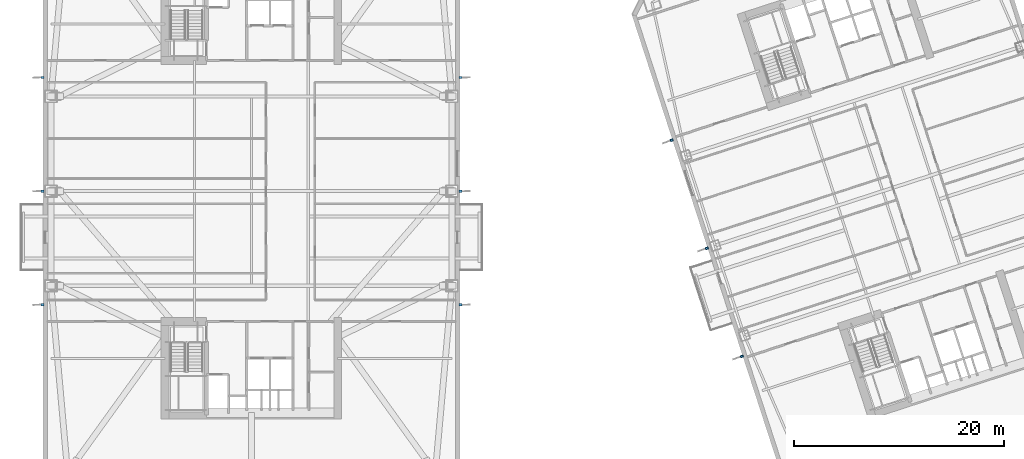
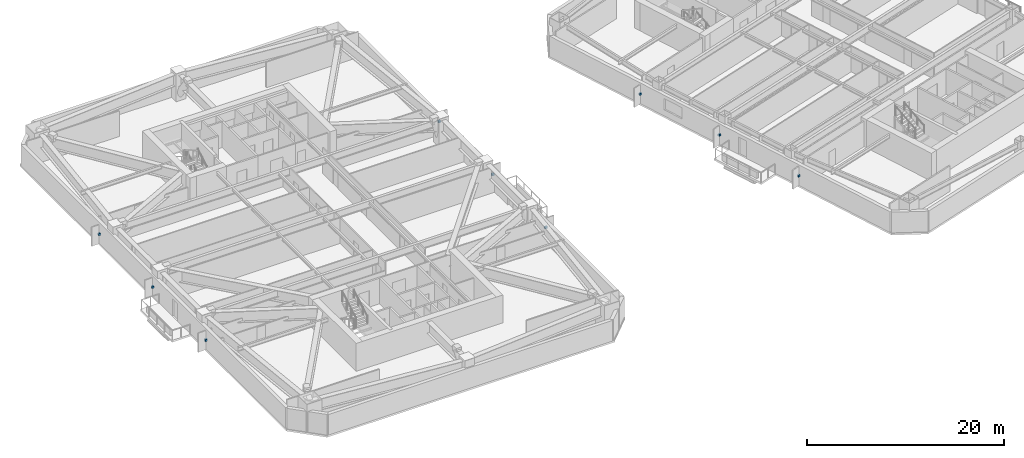
# One storey, part 13 of 19: 9 discrete accessories.
"""IFC4 building model written with IfcOpenShell, lengths in metres."""

import ifcopenshell
import ifcopenshell.guid

model = None  # the IFC model being written
_history = None  # IfcOwnerHistory: only IFC2X3 demands one
_inside = {}  # id of a spatial element -> (the spatial element, [elements in it])
_under = {}  # id of a project, library or spatial element -> (it, [spatial elements below it])
_declared = {}  # id of a project -> (the project, [libraries it declares])
_typed = {}  # id of a type object -> (the type object, [elements of that type])
_made_of = {}  # id of a material, layer set ... -> (it, [elements and type objects made of it])


def new_model(schema):
    """Start an empty IFC model of exactly this schema.

    Asked for "IFC4X3", IfcOpenShell would pick the latest addendum, in which some entities
    have other attributes; the version numbers below select the first issue.
    IFC2X3 requires an IfcOwnerHistory on every rooted entity: one is made here for all.
    """
    global model, _history
    if schema == "IFC4X3":
        model = ifcopenshell.file(schema_version=(4, 3, 0, 0))
    else:
        model = ifcopenshell.file(schema=schema)
    _inside.clear()
    _under.clear()
    _declared.clear()
    _typed.clear()
    _made_of.clear()
    _history = None
    if model.schema == "IFC2X3":
        org = make("IfcOrganization", Name="unknown")
        user = make(
            "IfcPersonAndOrganization",
            ThePerson=make("IfcPerson", FamilyName="unknown"),
            TheOrganization=org,
        )
        app = make(
            "IfcApplication",
            ApplicationDeveloper=org,
            Version="unknown",
            ApplicationFullName="unknown",
            ApplicationIdentifier="unknown",
        )
        _history = make(
            "IfcOwnerHistory",
            OwningUser=user,
            OwningApplication=app,
            ChangeAction="ADDED",
            CreationDate=0,
        )
    return model


def make(cls, **values):
    """One entity of the class cls with the attributes given. An attribute that is None is left unset."""
    return model.create_entity(
        cls, **{name: value for name, value in values.items() if value is not None}
    )


def rooted(cls, **values):
    """An entity with a GlobalId (a new one), such as an element, a storey or a relation."""
    return make(cls, GlobalId=ifcopenshell.guid.new(), OwnerHistory=_history, **values)


def si_unit(unit_type, name, prefix=None):
    """IfcSIUnit, for example si_unit("LENGTHUNIT", "METRE", prefix="MILLI")."""
    return make("IfcSIUnit", UnitType=unit_type, Prefix=prefix, Name=name)


def assignment(units):
    """IfcUnitAssignment: the units of a project."""
    return None if units is None else make("IfcUnitAssignment", Units=units)


def point(xyz):
    """IfcCartesianPoint."""
    return None if xyz is None else make("IfcCartesianPoint", Coordinates=xyz)


def direction(xyz):
    """IfcDirection."""
    return None if xyz is None else make("IfcDirection", DirectionRatios=xyz)


def frame(location, z_axis=None, x_axis=None):
    """IfcAxis2Placement3D, a coordinate frame: its origin and axes. An axis left out is left unset."""
    return make(
        "IfcAxis2Placement3D",
        Location=point(location),
        Axis=direction(z_axis),
        RefDirection=direction(x_axis),
    )


def frame_2d(location, x_axis=None):
    """IfcAxis2Placement2D, a coordinate frame in the plane: its origin and x axis."""
    return make(
        "IfcAxis2Placement2D", Location=point(location), RefDirection=direction(x_axis)
    )


def origin():
    """The frame at (0, 0, 0) with its axes left unset."""
    return frame((0.0, 0.0, 0.0))


def origin_2d():
    """The frame at (0, 0) in the plane with its x axis left unset."""
    return frame_2d((0.0, 0.0))


def place(relative_to, where):
    """IfcLocalPlacement: puts the frame where relative to a parent placement (None: the world)."""
    return make(
        "IfcLocalPlacement", PlacementRelTo=relative_to, RelativePlacement=where
    )


def context(
    kind, dimensions, precision=None, world=None, true_north=None, identifier=None
):
    """IfcGeometricRepresentationContext, for example the 3D "Model" context."""
    return make(
        "IfcGeometricRepresentationContext",
        ContextIdentifier=identifier,
        ContextType=kind,
        CoordinateSpaceDimension=dimensions,
        Precision=precision,
        WorldCoordinateSystem=world,
        TrueNorth=true_north,
    )


def subcontext(parent, identifier, kind, view, scale=None):
    """IfcGeometricRepresentationSubContext, for example "Body" below "Model"."""
    return make(
        "IfcGeometricRepresentationSubContext",
        ContextIdentifier=identifier,
        ContextType=kind,
        ParentContext=parent,
        TargetScale=scale,
        TargetView=view,
    )


def project(units=None, contexts=None):
    """IfcProject with its units and contexts."""
    return rooted(
        "IfcProject",
        Name="project",
        RepresentationContexts=contexts,
        UnitsInContext=assignment(units),
    )


def spatial(cls, under=None, at=None, **own):
    """A site, building, storey or space (cls), placed at a placement, below another one or the project."""
    s = rooted(cls, ObjectPlacement=at, **own)
    if under is not None:
        _under.setdefault(under.id(), (under, []))[1].append(s)
    return s


def profile(cls, at=None, kind="AREA", **sizes):
    """A parametric profile (cls). Its sizes go by their IFC names, for example OverallWidth=200.0."""
    return make(cls, ProfileType=kind, Position=at, **sizes)


def rectangle(**sizes):
    """IfcRectangleProfileDef."""
    return profile("IfcRectangleProfileDef", **sizes)


def extrude(swept, where, along, depth):
    """IfcExtrudedAreaSolid: the profile swept, set in the frame where, extruded along a direction by depth."""
    return make(
        "IfcExtrudedAreaSolid",
        SweptArea=swept,
        Position=where,
        ExtrudedDirection=direction(along),
        Depth=depth,
    )


def shape(context_of_items, identifier, shape_type, items):
    """IfcShapeRepresentation: the items that make up one representation, for example the "Body"."""
    return make(
        "IfcShapeRepresentation",
        ContextOfItems=context_of_items,
        RepresentationIdentifier=identifier,
        RepresentationType=shape_type,
        Items=items,
    )


def material(Name=None, Category=None):
    """IfcMaterial."""
    return make("IfcMaterial", Name=Name, Category=Category)


def made_of(thing, what):
    """Note that an element or type object is made of a material, layer set ...; save() writes the relation."""
    if what is not None:
        _made_of.setdefault(what.id(), (what, []))[1].append(thing)
    return thing


def type_object(cls, material=None, **own):
    """A type object (cls), such as IfcWallType, which elements share."""
    return made_of(rooted(cls, **own), material)


def element(
    cls,
    number,
    at=None,
    inside=None,
    cuts=None,
    type_object=None,
    material=None,
    context=None,
    identifier="Body",
    shape_type=None,
    held_by="IfcProductDefinitionShape",
    body=None,
    shapes=None,
    **own,
):
    """One element of the class cls, such as IfcWall. Its Tag is "e" and its number.

    at: its placement. inside: the storey or other place that contains it. cuts: it is an
    opening in that element (IfcRelVoidsElement). A single representation is given by context,
    identifier, shape_type and body (its items); several are given by shapes. held_by: the class
    of the entity that holds the representations. save() writes the other relations.
    """
    e = rooted(cls, Tag="e%d" % number, ObjectPlacement=at, **own)
    if body is not None:
        shapes = [shape(context, identifier, shape_type, body)]
    if shapes is not None:
        e.Representation = make(held_by, Representations=shapes)
    if inside is not None:
        _inside.setdefault(inside.id(), (inside, []))[1].append(e)
    if cuts is not None:
        rooted(
            "IfcRelVoidsElement", RelatingBuildingElement=cuts, RelatedOpeningElement=e
        )
    if type_object is not None:
        _typed.setdefault(type_object.id(), (type_object, []))[1].append(e)
    return made_of(e, material)


def aggregate(whole, parts):
    """IfcRelAggregates: a whole, such as a stair, and the parts it consists of."""
    return rooted("IfcRelAggregates", RelatingObject=whole, RelatedObjects=parts)


def save(model, path):
    """Write the relations noted so far, then the file.

    IfcRelAggregates (storeys below a building ...), IfcRelContainedInSpatialStructure (elements
    in a storey), IfcRelDefinesByType, IfcRelAssociatesMaterial and IfcRelDeclares: one each for
    every whole, place, type object, material and project.
    """
    for whole, parts in _under.values():
        aggregate(whole, parts)
    for where, things in _inside.values():
        rooted(
            "IfcRelContainedInSpatialStructure",
            RelatedElements=things,
            RelatingStructure=where,
        )
    for kind, things in _typed.values():
        rooted("IfcRelDefinesByType", RelatedObjects=things, RelatingType=kind)
    for what, things in _made_of.values():
        rooted("IfcRelAssociatesMaterial", RelatedObjects=things, RelatingMaterial=what)
    for by, libraries in _declared.values():
        rooted("IfcRelDeclares", RelatingContext=by, RelatedDefinitions=libraries)
    model.write(path)


model = new_model("IFC4")

# Units and contexts
model_context = context("Model", 3, precision=1e-05, world=origin(), true_north=direction((0.0, 1.0)))
body_context = subcontext(model_context, "Body", "Model", "MODEL_VIEW")
ifc_project = project(units=[si_unit("LENGTHUNIT", "METRE"), si_unit("AREAUNIT", "SQUARE_METRE"), si_unit("VOLUMEUNIT", "CUBIC_METRE"), si_unit("PLANEANGLEUNIT", "RADIAN"), si_unit("MASSUNIT", "GRAM", prefix="KILO")], contexts=[model_context])

# Site, building, storey
site_placement = place(None, origin())
site = spatial("IfcSite", under=ifc_project, at=site_placement, CompositionType="ELEMENT")
building_placement = place(site_placement, origin())
building = spatial("IfcBuilding", under=site, at=building_placement, Name="Qiaolan Cultural Towers", CompositionType="ELEMENT")
storey_placement = place(building_placement, frame((0.0, 0.0, 88.550048828125)))
storey = spatial("IfcBuildingStorey", under=building, at=storey_placement, Name="L22", CompositionType="ELEMENT", Elevation=88.550048828125)

# Discrete accessories
ifc_material = material(Name="Stainless Steel S31608 Facade Anchor Bracket", Category="steel")
discrete_accessory_type = type_object("IfcDiscreteAccessoryType", Name="ACC-BRK-SS", PredefinedType="BRACKET", material=ifc_material)
for number, where, z_axis, x_axis, name in (
    (1, (10.1201171875, 23.199951171875, 1.15478515625), (0.0, 0.0, 1.0), (1.0, 0.0, 0.0), "L22 T1 Facade Fin Anchor Bracket W1"),
    (2, (10.1201171875, 34.0, 1.15478515625), (0.0, 0.0, 1.0), (1.0, 0.0, 0.0), "L22 T1 Facade Fin Anchor Bracket W2"),
    (3, (10.1201171875, 44.800048828125, 1.15478515625), (0.0, 0.0, 1.0), (1.0, 0.0, 0.0), "L22 T1 Facade Fin Anchor Bracket W3"),
    (4, (49.8798828125, 23.199951171875, 1.15478515625), (0.0, 0.0, 1.0), (1.0, 0.0, 0.0), "L22 T1 Facade Fin Anchor Bracket E1"),
    (5, (49.8798828125, 34.0, 1.15478515625), (0.0, 0.0, 1.0), (1.0, 0.0, 0.0), "L22 T1 Facade Fin Anchor Bracket E2"),
    (6, (49.8798828125, 44.800048828125, 1.15478515625), (0.0, 0.0, 1.0), (1.0, 0.0, 0.0), "L22 T1 Facade Fin Anchor Bracket E3"),
    (7, (76.617919921875, 18.296142578125, 1.15478515625), (0.0, 0.0, 1.0), (0.951056516295, 0.309016994375, 0.0), "L22 T2 Facade Fin Anchor Bracket W1"),
    (8, (73.280517578125, 28.5673828125, 1.15478515625), (0.0, 0.0, 1.0), (0.951056516295, 0.309016994375, 0.0), "L22 T2 Facade Fin Anchor Bracket W2"),
    (9, (69.943115234375, 38.8388671875, 1.15478515625), (0.0, 0.0, 1.0), (0.951056516295, 0.309016994375, 0.0), "L22 T2 Facade Fin Anchor Bracket W3"),
):
    element("IfcDiscreteAccessory", number, at=place(storey_placement, frame(where, z_axis=z_axis, x_axis=x_axis)), inside=storey, type_object=discrete_accessory_type, Name=name, PredefinedType="BRACKET", context=body_context, shape_type="SweptSolid", body=[
        extrude(rectangle(XDim=0.280029296875, YDim=0.219970703125, at=origin_2d()), origin(), (0.0, 0.0, 1.0), 0.239990234375),
    ])

save(model, "model.ifc")
